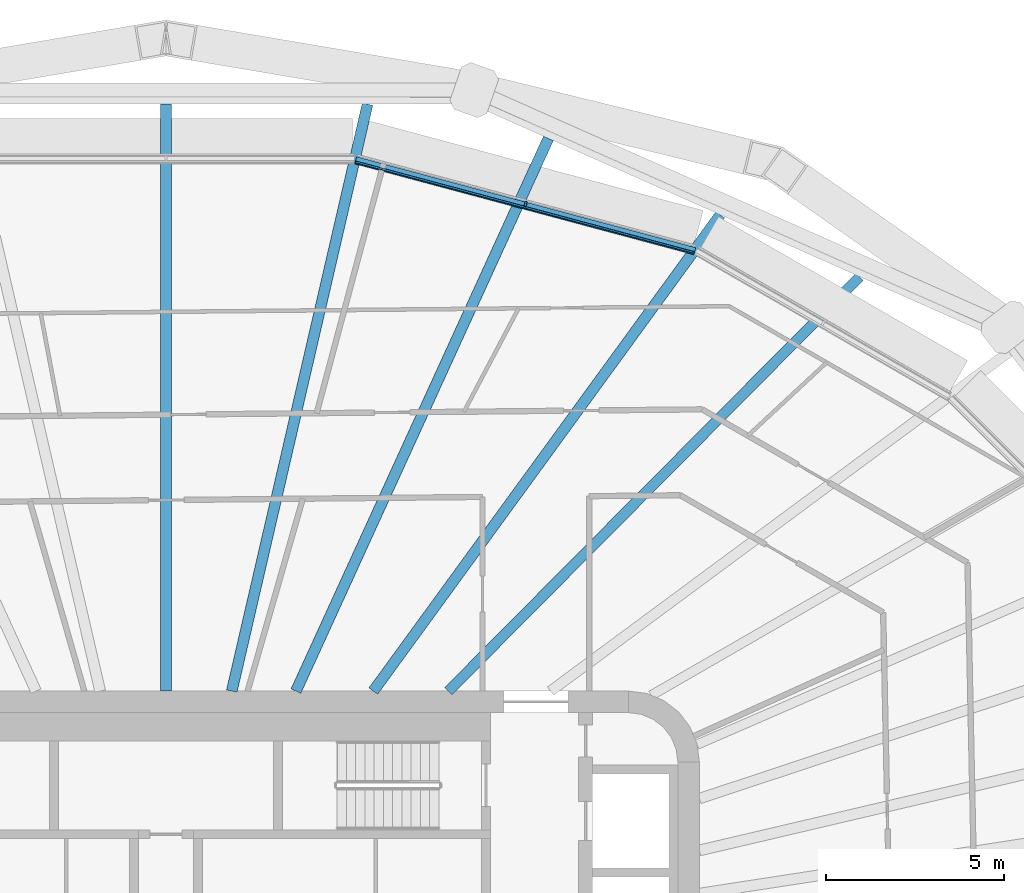
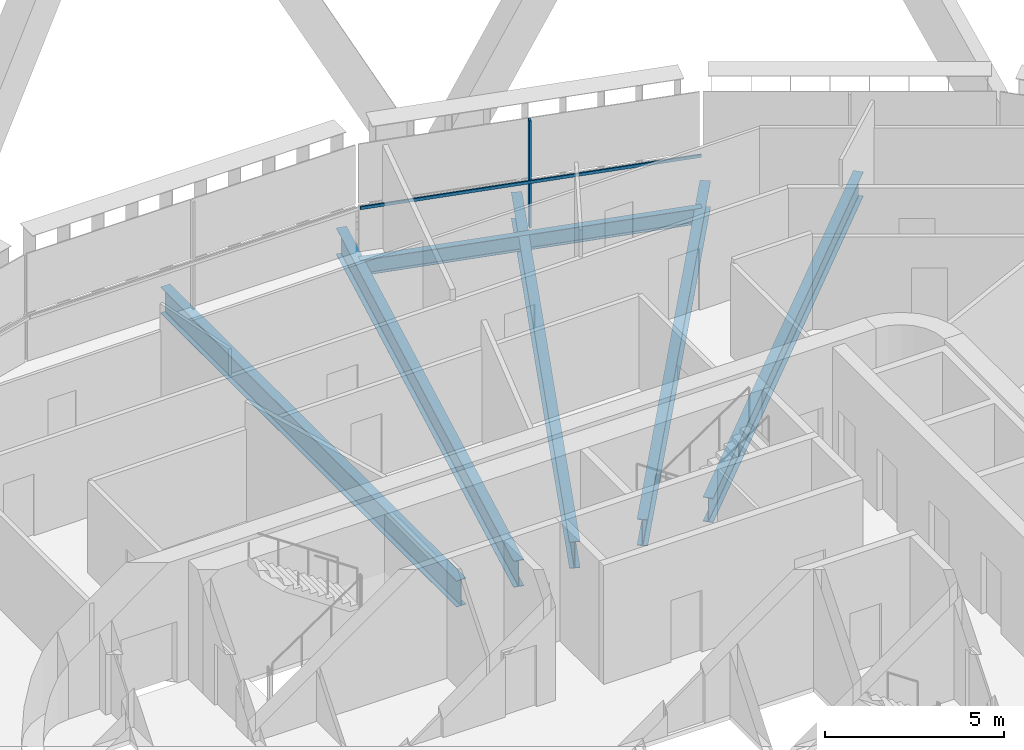
# One storey, part 9 of 25: 6 beams, 2 members, 1 element without a shape of its own.
"""IFC4 building model written with IfcOpenShell, lengths in metres."""

from ifc_helpers import new_model, si_unit, direction, frame, origin, origin_2d, place, context, subcontext, project, spatial, rectangle, i_section, extrude, material, layer, layer_set, material_profile, profile_set, type_object, element, aggregate, save


model = new_model("IFC4")

# Units and contexts
model_context = context("Model", 3, precision=1e-05, world=origin(), true_north=direction((0.0, 1.0)))
body_context = subcontext(model_context, "Body", "Model", "MODEL_VIEW")
ifc_project = project(units=[si_unit("LENGTHUNIT", "METRE"), si_unit("AREAUNIT", "SQUARE_METRE"), si_unit("VOLUMEUNIT", "CUBIC_METRE"), si_unit("PLANEANGLEUNIT", "RADIAN"), si_unit("MASSUNIT", "GRAM", prefix="KILO")], contexts=[model_context])

# Site, building, storey
site_placement = place(None, origin())
site = spatial("IfcSite", under=ifc_project, at=site_placement, CompositionType="ELEMENT")
building_placement = place(site_placement, origin())
building = spatial("IfcBuilding", under=site, at=building_placement, Name="Sahrelin Media Tower", CompositionType="ELEMENT")
storey_placement = place(building_placement, frame((0.0, 0.0, 63.0)))
storey = spatial("IfcBuildingStorey", under=building, at=storey_placement, Name="L10", CompositionType="ELEMENT", Elevation=63.0)

# Beam
ifc_material_1 = material(Name="Steel S355", Category="steel")
ifc_material_profile_1 = material_profile(ifc_material_1, i_section(OverallWidth=0.208740234375, OverallDepth=0.5283203125, WebThickness=0.009521484375, FlangeThickness=0.01318359375, FilletRadius=0.0126953125, at=origin_2d()), Name="UB 533x210x82")
ifc_profile_set_1 = profile_set([ifc_material_profile_1], Name="Steel S355")
beam_type_1 = type_object("IfcBeamType", Name="Edge beam EB6", PredefinedType="BEAM", material=ifc_profile_set_1)
beam_1_placement = place(storey_placement, frame((5.332763671875, 22.923583984375, -0.4140625), z_axis=(0.965924759849, -0.258823025079, 0.0), x_axis=(0.258823025079, 0.965924759849, 0.0)))
element("IfcBeam", 1, at=beam_1_placement, inside=storey, type_object=beam_type_1, Name="Edge beam L10-20", PredefinedType="BEAM", context=body_context, shape_type="SweptSolid", body=[
    extrude(i_section(OverallWidth=0.208740234375, OverallDepth=0.5283203125, WebThickness=0.009521484375, FlangeThickness=0.01318359375, FilletRadius=0.0126953125, at=origin_2d()), origin(), (0.0, 0.0, 1.0), 9.872314453125),
])

# Curtain wall, member
ifc_material_2 = material(Name="Champagne anodised aluminium 6063-T6", Category="aluminium")
ifc_layer = layer(ifc_material_2, 0.14990234375)
ifc_layer_set = layer_set([ifc_layer], Name="Tower ribbon curtain wall")
curtain_wall_type = type_object("IfcCurtainWallType", Name="Tower ribbon curtain wall", PredefinedType="NOTDEFINED", material=ifc_layer_set)
curtain_wall_placement = place(storey_placement, frame((10.139404296875, 21.791015625, 0.0), z_axis=(0.0, 0.0, 1.0), x_axis=(1.0, 0.0, 0.0)))
curtain_wall = element("IfcCurtainWall", 2, at=curtain_wall_placement, inside=storey, type_object=curtain_wall_type, Name="L10:CW:L10-05", PredefinedType="NOTDEFINED")
ifc_material_profile_2 = material_profile(ifc_material_2, rectangle(XDim=0.06005859375, YDim=0.14990234375, at=origin_2d()), Name="Mullion 60x150")
ifc_profile_set_2 = profile_set([ifc_material_profile_2], Name="Champagne anodised aluminium 6063-T6")
member_type_1 = type_object("IfcMemberType", Name="Mullion 60x150 CW1", PredefinedType="MULLION", material=ifc_profile_set_2)
member_1_placement = place(storey_placement, frame((10.114990234375, 21.69921875, 0.0), z_axis=(0.0, 0.0, 1.0), x_axis=(-0.965925374563, 0.258820730961, 0.0)))
member_1 = element("IfcMember", 3, at=member_1_placement, type_object=member_type_1, Name="L10:CWM:L10-05", PredefinedType="MULLION", context=body_context, shape_type="SweptSolid", body=[
    extrude(rectangle(XDim=0.06005859375, YDim=0.14990234375, at=origin_2d()), origin(), (0.0, 0.0, 1.0), 3.648681640625),
])

# Beams
ifc_material_profile_3 = material_profile(ifc_material_1, i_section(OverallWidth=0.30322265625, OverallDepth=0.903076171875, WebThickness=0.01513671875, FlangeThickness=0.020263671875, FilletRadius=0.01904296875, at=origin_2d()), Name="UB 914x305x201")
ifc_profile_set_3 = profile_set([ifc_material_profile_3], Name="Steel S355")
beam_type_2 = type_object("IfcBeamType", Name="Radial primary beam PB11", PredefinedType="BEAM", material=ifc_profile_set_3)
beam_2_placement = place(storey_placement, frame((5.8291015625, 8.0, -0.6015625), z_axis=(0.588900368417, 0.808205639722, 0.0), x_axis=(-0.808205639722, 0.588900368417, 0.0)))
element("IfcBeam", 4, at=beam_2_placement, inside=storey, type_object=beam_type_2, Name="Radial beam L10-05", PredefinedType="BEAM", context=body_context, shape_type="SweptSolid", body=[
    extrude(i_section(OverallWidth=0.30322265625, OverallDepth=0.903076171875, WebThickness=0.01513671875, FlangeThickness=0.020263671875, FilletRadius=0.01904296875, at=origin_2d()), origin(), (0.0, 0.0, 1.0), 16.569580078125),
])
beam_3_placement = place(storey_placement, frame((1.8505859375, 8.0, -0.6015625), z_axis=(0.225368935068, 0.974273495024, 0.0), x_axis=(-0.974273495024, 0.225368935068, 0.0)))
element("IfcBeam", 5, at=beam_3_placement, inside=storey, type_object=beam_type_2, Name="Radial beam L10-06", PredefinedType="BEAM", context=body_context, shape_type="SweptSolid", body=[
    extrude(i_section(OverallWidth=0.30322265625, OverallDepth=0.903076171875, WebThickness=0.01513671875, FlangeThickness=0.020263671875, FilletRadius=0.01904296875, at=origin_2d()), origin(), (0.0, 0.0, 1.0), 16.939453125),
])
ifc_material_profile_4 = material_profile(ifc_material_1, i_section(OverallWidth=0.291748046875, OverallDepth=0.8349609375, WebThickness=0.013916015625, FlangeThickness=0.018798828125, FilletRadius=0.017822265625, at=origin_2d()), Name="UB 838x292x176")
ifc_profile_set_4 = profile_set([ifc_material_profile_4], Name="Steel S355")
beam_type_3 = type_object("IfcBeamType", Name="Radial secondary beam SB10", PredefinedType="BEAM", material=ifc_profile_set_4)
beam_4_placement = place(storey_placement, frame((7.94287109375, 8.0, -0.5673828125), z_axis=(0.704566431666, 0.709638036867, 0.0), x_axis=(-0.709638036867, 0.704566431666, 0.0)))
element("IfcBeam", 6, at=beam_4_placement, inside=storey, type_object=beam_type_3, Name="Secondary beam L10-04", PredefinedType="BEAM", context=body_context, shape_type="SweptSolid", body=[
    extrude(i_section(OverallWidth=0.291748046875, OverallDepth=0.8349609375, WebThickness=0.013916015625, FlangeThickness=0.018798828125, FilletRadius=0.017822265625, at=origin_2d()), origin(), (0.0, 0.0, 1.0), 16.415283203125),
])
ifc_material_profile_5 = material_profile(ifc_material_1, i_section(OverallWidth=0.30322265625, OverallDepth=0.903076171875, WebThickness=0.01513671875, FlangeThickness=0.020263671875, FilletRadius=0.01904296875, at=origin_2d()), Name="UB 914x305x201")
ifc_profile_set_5 = profile_set([ifc_material_profile_5], Name="Steel S355")
beam_type_4 = type_object("IfcBeamType", Name="Radial secondary beam SB11", PredefinedType="BEAM", material=ifc_profile_set_5)
beam_5_placement = place(storey_placement, frame((3.654541015625, 8.0, -0.6015625), z_axis=(0.415516252261, 0.909585754125, 0.0), x_axis=(-0.909585754125, 0.415516252261, 0.0)))
element("IfcBeam", 7, at=beam_5_placement, inside=storey, type_object=beam_type_4, Name="Secondary beam L10-05", PredefinedType="BEAM", context=body_context, shape_type="SweptSolid", body=[
    extrude(i_section(OverallWidth=0.30322265625, OverallDepth=0.903076171875, WebThickness=0.01513671875, FlangeThickness=0.020263671875, FilletRadius=0.01904296875, at=origin_2d()), origin(), (0.0, 0.0, 1.0), 17.08447265625),
])
beam_6_placement = place(storey_placement, frame((0.0, 8.0, -0.6015625), z_axis=(0.0, 1.0, 0.0), x_axis=(-1.0, 0.0, 0.0)))
element("IfcBeam", 8, at=beam_6_placement, inside=storey, type_object=beam_type_4, Name="Secondary beam L10-06", PredefinedType="BEAM", context=body_context, shape_type="SweptSolid", body=[
    extrude(i_section(OverallWidth=0.30322265625, OverallDepth=0.903076171875, WebThickness=0.01513671875, FlangeThickness=0.020263671875, FilletRadius=0.01904296875, at=origin_2d()), origin(), (0.0, 0.0, 1.0), 16.503662109375),
])

# Member
ifc_material_profile_6 = material_profile(ifc_material_2, rectangle(XDim=0.050048828125, YDim=0.10009765625, at=origin_2d()), Name="Transom 50x100")
ifc_profile_set_6 = profile_set([ifc_material_profile_6], Name="Champagne anodised aluminium 6063-T6")
member_type_2 = type_object("IfcMemberType", Name="Transom 50x100 CW1", PredefinedType="USERDEFINED", material=ifc_profile_set_6)
member_2_placement = place(storey_placement, frame((14.841796875, 20.3291015625, 1.60009765625), z_axis=(-0.965923356593, 0.258828261958, 0.0), x_axis=(-0.258828261958, -0.965923356593, 0.0)))
member_2 = element("IfcMember", 9, at=member_2_placement, type_object=member_type_2, Name="L10:CWT:L10-05", ObjectType="TRANSOM", PredefinedType="USERDEFINED", context=body_context, shape_type="SweptSolid", body=[
    extrude(rectangle(XDim=0.050048828125, YDim=0.10009765625, at=origin_2d()), origin(), (0.0, 0.0, 1.0), 9.841064453125),
])

aggregate(curtain_wall, [member_1, member_2])

save(model, "model.ifc")
